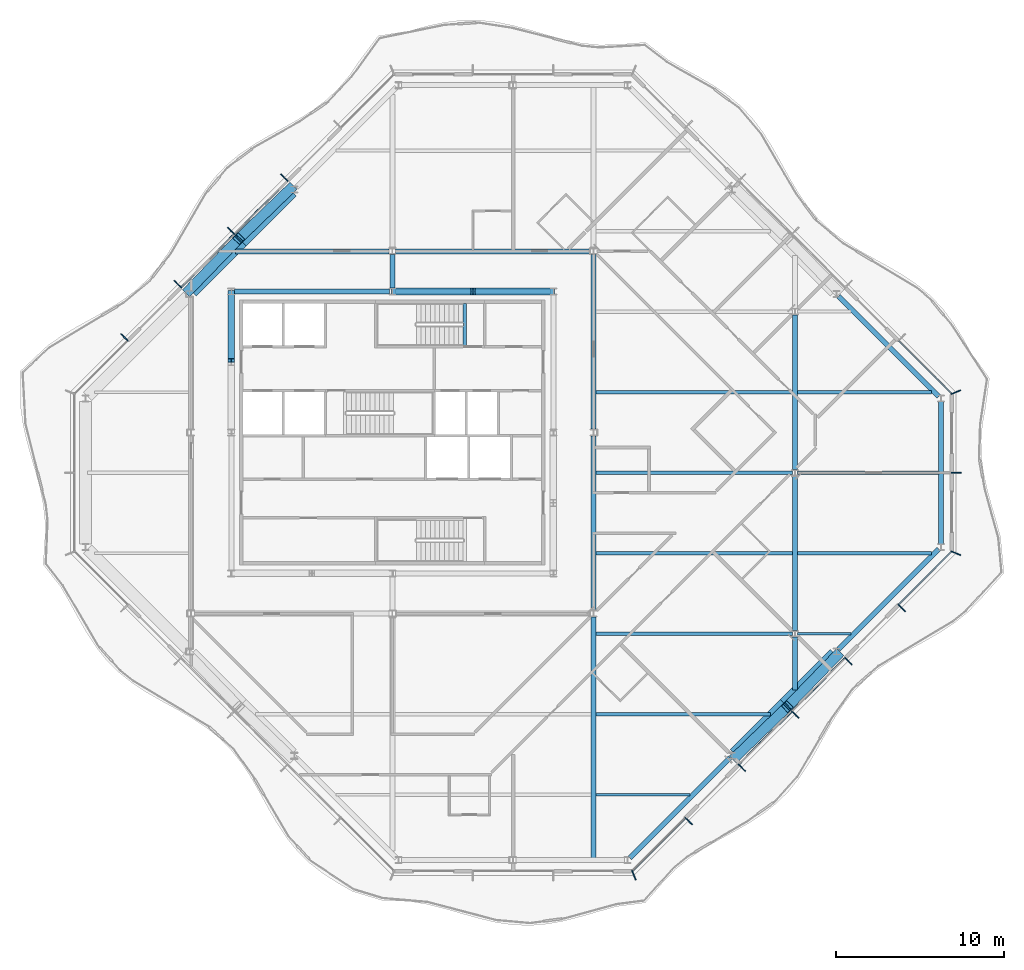
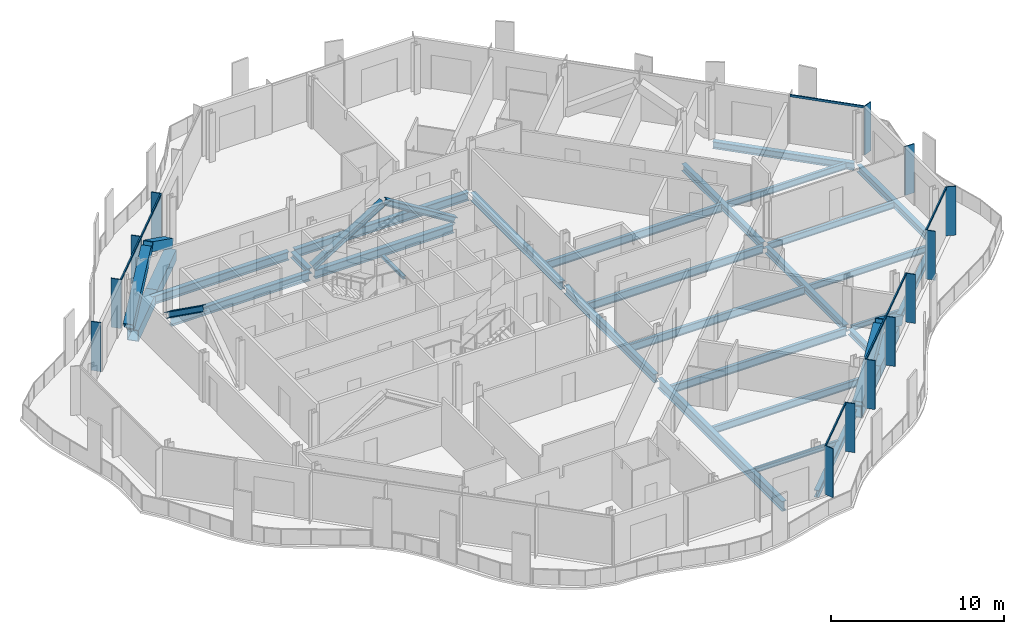
# One storey, part 4 of 17: 30 beams, 27 members, 4 elements without a shape of their own.
"""IFC4 building model written with IfcOpenShell, lengths in metres."""

from ifc_helpers import new_model, si_unit, direction, frame, origin, origin_2d, place, context, subcontext, project, spatial, rectangle, hollow_rectangle, i_section, extrude, material, material_profile, profile_set, type_object, element, aggregate, save


model = new_model("IFC4")

# Units and contexts
model_context = context("Model", 3, precision=1e-05, world=origin(), true_north=direction((0.0, 1.0)))
body_context = subcontext(model_context, "Body", "Model", "MODEL_VIEW")
ifc_project = project(units=[si_unit("LENGTHUNIT", "METRE"), si_unit("AREAUNIT", "SQUARE_METRE"), si_unit("VOLUMEUNIT", "CUBIC_METRE"), si_unit("PLANEANGLEUNIT", "RADIAN"), si_unit("MASSUNIT", "GRAM", prefix="KILO")], contexts=[model_context])

# Site, building, storey
site_placement = place(None, origin())
site = spatial("IfcSite", under=ifc_project, at=site_placement, CompositionType="ELEMENT")
building_placement = place(site_placement, origin())
building = spatial("IfcBuilding", under=site, at=building_placement, Name="Cairn Pilgrim Tower", CompositionType="ELEMENT")
storey_placement = place(building_placement, frame((0.0, 0.0, 274.199951171875)))
storey = spatial("IfcBuildingStorey", under=building, at=storey_placement, Name="L70", CompositionType="ELEMENT", Elevation=274.199951171875)

# Members
ifc_material_1 = material(Name="Structural steel S460M", Category="steel")
ifc_material_profile_1 = material_profile(ifc_material_1, hollow_rectangle(XDim=0.60009765625, YDim=0.60009765625, WallThickness=0.034912109375, at=origin_2d()), Name="BOX 600x600x35")
ifc_profile_set_1 = profile_set([ifc_material_profile_1], Name="Structural steel S460M")
member_type_1 = type_object("IfcMemberType", Name="BOX 600x600x35 BRACE", PredefinedType="BRACE", material=ifc_profile_set_1)
for number, where, z_axis, x_axis, name in (
    (1, (27.609130859375, -16.9921875, 0.150146484375), (0.612512847648, 0.592543290535, 0.523183008428), (-0.695293517132, 0.718725903967, 0.0), "XB-SE2-SE3-1"),
    (2, (33.7919921875, -10.80908203125, 0.150146484375), (-0.592511837494, -0.612530439333, 0.523198034515), (0.718754326239, -0.695264135788, 0.0), "XB-SE2-SE3-2"),
    (3, (1.19091796875, 16.9921875, 0.150146484375), (-0.612512847648, -0.592543290535, 0.523183008428), (0.695293517132, -0.718725903967, 0.0), "XB-NW2-NW3-1"),
    (4, (-4.9921875, 10.80908203125, 0.150146484375), (0.592543290535, 0.612512847648, 0.523183008428), (-0.718725903967, 0.695293517132, 0.0), "XB-NW2-NW3-2"),
):
    element("IfcMember", number, at=place(storey_placement, frame(where, z_axis=z_axis, x_axis=x_axis)), inside=storey, type_object=member_type_1, Name=name, PredefinedType="BRACE", context=body_context, shape_type="SweptSolid", body=[
        extrude(hollow_rectangle(XDim=0.60009765625, YDim=0.60009765625, WallThickness=0.034912109375, at=origin_2d()), origin(), (0.0, 0.0, 1.0), 5.036865234375),
    ])

# Beams
ifc_material_2 = material(Name="Structural steel S355J2", Category="steel")
ifc_material_profile_2 = material_profile(ifc_material_2, hollow_rectangle(XDim=0.699951171875, YDim=0.800048828125, WallThickness=0.0400390625, at=origin_2d()), Name="BOX 700x800x40")
ifc_profile_set_2 = profile_set([ifc_material_profile_2], Name="Structural steel S355J2")
beam_type_1 = type_object("IfcBeamType", Name="BOX 700x800x40 RING GIRDER", PredefinedType="SPANDREL", material=ifc_profile_set_2)
for number, where, z_axis, x_axis, name in (
    (5, (27.578369140625, -16.748779296875, -0.550048828125), (0.707135695205, 0.707077865986, 0.0), (-0.707077865986, 0.707135695205, 0.0), "RG4-SE2-SE3-1"),
    (6, (30.563720703125, -13.763671875, -0.550048828125), (0.707077865986, 0.707135695205, 0.0), (-0.707135695205, 0.707077865986, 0.0), "RG4-SE2-SE3-2"),
    (7, (1.2216796875, 16.748779296875, -0.550048828125), (-0.707135695205, -0.707077865986, 0.0), (0.707077865986, -0.707135695205, 0.0), "RG4-NW2-NW3-1"),
    (8, (-1.763671875, 13.763671875, -0.550048828125), (-0.707077865986, -0.707135695205, 0.0), (0.707135695205, -0.707077865986, 0.0), "RG4-NW2-NW3-2"),
):
    element("IfcBeam", number, at=place(storey_placement, frame(where, z_axis=z_axis, x_axis=x_axis)), inside=storey, type_object=beam_type_1, Name=name, PredefinedType="SPANDREL", context=body_context, shape_type="SweptSolid", body=[
        extrude(hollow_rectangle(XDim=0.699951171875, YDim=0.800048828125, WallThickness=0.0400390625, at=origin_2d()), origin(), (0.0, 0.0, 1.0), 4.2216796875),
    ])

# Curtain wall, members
ifc_material_3 = material(Name="Aluminium alloy 6063-T6 bronze anodised with Bronze tinted laminated low-E glass 8+16+8.8", Category="aluminium")
curtain_wall_type = type_object("IfcCurtainWallType", Name="CROWN CURTAIN WALL", PredefinedType="NOTDEFINED", material=ifc_material_3)
curtain_wall_1_placement = place(storey_placement, origin())
curtain_wall_1 = element("IfcCurtainWall", 9, at=curtain_wall_1_placement, inside=storey, type_object=curtain_wall_type, Name="Crown Curtain Wall SE", PredefinedType="NOTDEFINED")
ifc_material_4 = material(Name="Aluminium alloy 6063-T6 bronze anodised", Category="aluminium")
ifc_material_profile_3 = material_profile(ifc_material_4, rectangle(XDim=0.60009765625, YDim=0.06005859375, at=origin_2d()), Name="FIN MULLION 60x600 BRONZE")
ifc_profile_set_3 = profile_set([ifc_material_profile_3], Name="Aluminium alloy 6063-T6 bronze anodised")
member_type_2 = type_object("IfcMemberType", Name="FIN MULLION 60x600 BRONZE", PredefinedType="MULLION", material=ifc_profile_set_3)
member_1_placement = place(storey_placement, frame((21.599853515625, -23.99951171875, 0.0), z_axis=(0.0, 0.0, 1.0), x_axis=(0.382683432365, -0.923879532511, 0.0)))
member_1 = element("IfcMember", 10, at=member_1_placement, type_object=member_type_2, Name="Fin mullion SE1", PredefinedType="MULLION", context=body_context, shape_type="SweptSolid", body=[
    extrude(rectangle(XDim=0.60009765625, YDim=0.06005859375, at=origin_2d()), origin(), (0.0, 0.0, 1.0), 3.449951171875),
])
member_2_placement = place(storey_placement, frame((24.863037109375, -20.765380859375, 0.0), z_axis=(0.0, 0.0, 1.0), x_axis=(0.707106781187, -0.707106781187, 0.0)))
member_2 = element("IfcMember", 11, at=member_2_placement, type_object=member_type_2, Name="Fin mullion SE2", PredefinedType="MULLION", context=body_context, shape_type="SweptSolid", body=[
    extrude(rectangle(XDim=0.60009765625, YDim=0.06005859375, at=origin_2d()), origin(), (0.0, 0.0, 1.0), 3.449951171875),
])
member_3_placement = place(storey_placement, frame((28.03857421875, -17.58984375, 0.0), z_axis=(0.0, 0.0, 1.0), x_axis=(0.707106781187, -0.707106781187, 0.0)))
member_3 = element("IfcMember", 12, at=member_3_placement, type_object=member_type_2, Name="Fin mullion SE3", PredefinedType="MULLION", context=body_context, shape_type="SweptSolid", body=[
    extrude(rectangle(XDim=0.60009765625, YDim=0.06005859375, at=origin_2d()), origin(), (0.0, 0.0, 1.0), 3.449951171875),
])
member_4_placement = place(storey_placement, frame((31.214111328125, -14.4140625, 0.0), z_axis=(0.0, 0.0, 1.0), x_axis=(0.707106781187, -0.707106781187, 0.0)))
member_4 = element("IfcMember", 13, at=member_4_placement, type_object=member_type_2, Name="Fin mullion SE4", PredefinedType="MULLION", context=body_context, shape_type="SweptSolid", body=[
    extrude(rectangle(XDim=0.60009765625, YDim=0.06005859375, at=origin_2d()), origin(), (0.0, 0.0, 1.0), 3.449951171875),
])
member_5_placement = place(storey_placement, frame((34.3896484375, -11.238525390625, 0.0), z_axis=(0.0, 0.0, 1.0), x_axis=(0.707106781187, -0.707106781187, 0.0)))
member_5 = element("IfcMember", 14, at=member_5_placement, type_object=member_type_2, Name="Fin mullion SE5", PredefinedType="MULLION", context=body_context, shape_type="SweptSolid", body=[
    extrude(rectangle(XDim=0.60009765625, YDim=0.06005859375, at=origin_2d()), origin(), (0.0, 0.0, 1.0), 3.449951171875),
])
member_6_placement = place(storey_placement, frame((37.5654296875, -8.06298828125, 0.0), z_axis=(0.0, 0.0, 1.0), x_axis=(0.707106781187, -0.707106781187, 0.0)))
member_6 = element("IfcMember", 15, at=member_6_placement, type_object=member_type_2, Name="Fin mullion SE6", PredefinedType="MULLION", context=body_context, shape_type="SweptSolid", body=[
    extrude(rectangle(XDim=0.60009765625, YDim=0.06005859375, at=origin_2d()), origin(), (0.0, 0.0, 1.0), 3.449951171875),
])

curtain_wall_2_placement = place(storey_placement, origin())
curtain_wall_2 = element("IfcCurtainWall", 16, at=curtain_wall_2_placement, inside=storey, type_object=curtain_wall_type, Name="Crown Curtain Wall E", PredefinedType="NOTDEFINED")
member_7_placement = place(storey_placement, frame((40.799560546875, -4.7998046875, 0.0), z_axis=(0.0, 0.0, 1.0), x_axis=(0.923879532511, -0.382683432365, 0.0)))
member_7 = element("IfcMember", 17, at=member_7_placement, type_object=member_type_2, Name="Fin mullion E1", PredefinedType="MULLION", context=body_context, shape_type="SweptSolid", body=[
    extrude(rectangle(XDim=0.60009765625, YDim=0.06005859375, at=origin_2d()), origin(), (0.0, 0.0, 1.0), 3.449951171875),
])
member_8_placement = place(storey_placement, frame((40.820068359375, 0.0, 0.0), z_axis=(0.0, 0.0, 1.0), x_axis=(1.0, 0.0, 0.0)))
member_8 = element("IfcMember", 18, at=member_8_placement, type_object=member_type_2, Name="Fin mullion E2", PredefinedType="MULLION", context=body_context, shape_type="SweptSolid", body=[
    extrude(rectangle(XDim=0.60009765625, YDim=0.06005859375, at=origin_2d()), origin(), (0.0, 0.0, 1.0), 3.449951171875),
])
aggregate(curtain_wall_2, [member_7, member_8])

# Curtain wall, member
curtain_wall_3_placement = place(storey_placement, origin())
curtain_wall_3 = element("IfcCurtainWall", 19, at=curtain_wall_3_placement, inside=storey, type_object=curtain_wall_type, Name="Crown Curtain Wall NE", PredefinedType="NOTDEFINED")
member_9_placement = place(storey_placement, frame((40.799560546875, 4.7998046875, 0.0), z_axis=(0.0, 0.0, 1.0), x_axis=(0.923879532511, 0.382683432365, 0.0)))
member_9 = element("IfcMember", 20, at=member_9_placement, type_object=member_type_2, Name="Fin mullion NE1", PredefinedType="MULLION", context=body_context, shape_type="SweptSolid", body=[
    extrude(rectangle(XDim=0.60009765625, YDim=0.06005859375, at=origin_2d()), origin(), (0.0, 0.0, 1.0), 3.449951171875),
])

# Curtain wall, members
curtain_wall_4_placement = place(storey_placement, origin())
curtain_wall_4 = element("IfcCurtainWall", 21, at=curtain_wall_4_placement, inside=storey, type_object=curtain_wall_type, Name="Crown Curtain Wall NW", PredefinedType="NOTDEFINED")
member_10_placement = place(storey_placement, frame((0.761474609375, 17.58984375, 0.0), z_axis=(0.0, 0.0, 1.0), x_axis=(-0.707106781187, 0.707106781187, 0.0)))
member_10 = element("IfcMember", 22, at=member_10_placement, type_object=member_type_2, Name="Fin mullion NW3", PredefinedType="MULLION", context=body_context, shape_type="SweptSolid", body=[
    extrude(rectangle(XDim=0.60009765625, YDim=0.06005859375, at=origin_2d()), origin(), (0.0, 0.0, 1.0), 3.449951171875),
])
member_11_placement = place(storey_placement, frame((-2.4140625, 14.4140625, 0.0), z_axis=(0.0, 0.0, 1.0), x_axis=(-0.707106781187, 0.707106781187, 0.0)))
member_11 = element("IfcMember", 23, at=member_11_placement, type_object=member_type_2, Name="Fin mullion NW4", PredefinedType="MULLION", context=body_context, shape_type="SweptSolid", body=[
    extrude(rectangle(XDim=0.60009765625, YDim=0.06005859375, at=origin_2d()), origin(), (0.0, 0.0, 1.0), 3.449951171875),
])
member_12_placement = place(storey_placement, frame((-5.58984375, 11.238525390625, 0.0), z_axis=(0.0, 0.0, 1.0), x_axis=(-0.707106781187, 0.707106781187, 0.0)))
member_12 = element("IfcMember", 24, at=member_12_placement, type_object=member_type_2, Name="Fin mullion NW5", PredefinedType="MULLION", context=body_context, shape_type="SweptSolid", body=[
    extrude(rectangle(XDim=0.60009765625, YDim=0.06005859375, at=origin_2d()), origin(), (0.0, 0.0, 1.0), 3.449951171875),
])
member_13_placement = place(storey_placement, frame((-8.765380859375, 8.06298828125, 0.0), z_axis=(0.0, 0.0, 1.0), x_axis=(-0.707106781187, 0.707106781187, 0.0)))
member_13 = element("IfcMember", 25, at=member_13_placement, type_object=member_type_2, Name="Fin mullion NW6", PredefinedType="MULLION", context=body_context, shape_type="SweptSolid", body=[
    extrude(rectangle(XDim=0.60009765625, YDim=0.06005859375, at=origin_2d()), origin(), (0.0, 0.0, 1.0), 3.449951171875),
])

# Members
ifc_material_profile_4 = material_profile(ifc_material_2, i_section(OverallWidth=0.39794921875, OverallDepth=0.386962890625, WebThickness=0.02099609375, FlangeThickness=0.033203125, FilletRadius=0.014892578125, at=origin_2d()), Name="HD 400x262")
ifc_profile_set_4 = profile_set([ifc_material_profile_4], Name="Structural steel S355J2")
member_type_3 = type_object("IfcMemberType", Name="HD 400x262 BRACE", PredefinedType="BRACE", material=ifc_profile_set_4)
for number, where, z_axis, x_axis, name in (
    (26, (16.76025390625, 10.800048828125, 0.10009765625), (-0.85122905108, 0.0, 0.524794343145), (0.0, -1.0, 0.0), "KB-3A"),
    (27, (7.23974609375, 10.800048828125, 0.10009765625), (0.85122905108, 0.0, 0.524794343145), (0.0, 1.0, 0.0), "KB-3B"),
):
    element("IfcMember", number, at=place(storey_placement, frame(where, z_axis=z_axis, x_axis=x_axis)), inside=storey, type_object=member_type_3, Name=name, PredefinedType="BRACE", context=body_context, shape_type="SweptSolid", body=[
        extrude(i_section(OverallWidth=0.39794921875, OverallDepth=0.386962890625, WebThickness=0.02099609375, FlangeThickness=0.033203125, FilletRadius=0.014892578125, at=origin_2d()), origin(), (0.0, 0.0, 1.0), 5.530029296875),
    ])
member_14_placement = place(storey_placement, frame((-2.39990234375, 10.76025390625, 0.10009765625), z_axis=(0.0, -0.814462005215, 0.580216892258), x_axis=(1.0, 0.0, 0.0)))
element("IfcMember", 28, at=member_14_placement, inside=storey, type_object=member_type_3, Name="KB-4A", PredefinedType="BRACE", context=body_context, shape_type="SweptSolid", body=[
    extrude(i_section(OverallWidth=0.39794921875, OverallDepth=0.386962890625, WebThickness=0.02099609375, FlangeThickness=0.033203125, FilletRadius=0.014892578125, at=origin_2d()), origin(), (0.0, 0.0, 1.0), 4.999755859375),
])

# Beams
ifc_material_profile_5 = material_profile(ifc_material_2, i_section(OverallWidth=0.300048828125, OverallDepth=0.39990234375, WebThickness=0.013427734375, FlangeThickness=0.02392578125, FilletRadius=0.027099609375, at=origin_2d()), Name="HEB 400")
ifc_profile_set_5 = profile_set([ifc_material_profile_5], Name="Structural steel S355J2")
beam_type_2 = type_object("IfcBeamType", Name="HEB 400 GIRDER", PredefinedType="BEAM", material=ifc_profile_set_5)
beam_1_placement = place(storey_placement, frame((7.199951171875, 10.9990234375, -0.349853515625), z_axis=(0.0, 1.0, 0.0), x_axis=(-1.0, 0.0, 0.0)))
element("IfcBeam", 29, at=beam_1_placement, inside=storey, type_object=beam_type_2, Name="PG3-E2", PredefinedType="BEAM", context=body_context, shape_type="SweptSolid", body=[
    extrude(i_section(OverallWidth=0.300048828125, OverallDepth=0.39990234375, WebThickness=0.013427734375, FlangeThickness=0.02392578125, FilletRadius=0.027099609375, at=origin_2d()), origin(), (0.0, 0.0, 1.0), 2.00390625),
])
beam_2_placement = place(storey_placement, frame((31.199951171875, -12.945068359375, -0.349853515625), z_axis=(0.0, 1.0, 0.0), x_axis=(-1.0, 0.0, 0.0)))
element("IfcBeam", 30, at=beam_2_placement, inside=storey, type_object=beam_type_2, Name="PG5-1", PredefinedType="BEAM", context=body_context, shape_type="SweptSolid", body=[
    extrude(i_section(OverallWidth=0.300048828125, OverallDepth=0.39990234375, WebThickness=0.013427734375, FlangeThickness=0.02392578125, FilletRadius=0.027099609375, at=origin_2d()), origin(), (0.0, 0.0, 1.0), 3.14794921875),
])
ifc_material_profile_6 = material_profile(ifc_material_2, i_section(OverallWidth=0.300048828125, OverallDepth=0.5, WebThickness=0.014404296875, FlangeThickness=0.028076171875, FilletRadius=0.027099609375, at=origin_2d()), Name="HEB 500")
ifc_profile_set_6 = profile_set([ifc_material_profile_6], Name="Structural steel S355J2")
beam_type_3 = type_object("IfcBeamType", Name="HEB 500 GIRDER", PredefinedType="BEAM", material=ifc_profile_set_6)
for number, where, z_axis, x_axis, name in (
    (31, (31.199951171875, -9.403076171875, -0.39990234375), (0.0, 1.0, 0.0), (-1.0, 0.0, 0.0), "PG5-2"),
    (32, (31.199951171875, 0.197021484375, -0.39990234375), (0.0, 1.0, 0.0), (-1.0, 0.0, 0.0), "PG5-3"),
):
    element("IfcBeam", number, at=place(storey_placement, frame(where, z_axis=z_axis, x_axis=x_axis)), inside=storey, type_object=beam_type_3, Name=name, PredefinedType="BEAM", context=body_context, shape_type="SweptSolid", body=[
        extrude(i_section(OverallWidth=0.300048828125, OverallDepth=0.5, WebThickness=0.014404296875, FlangeThickness=0.028076171875, FilletRadius=0.027099609375, at=origin_2d()), origin(), (0.0, 0.0, 1.0), 9.2060546875),
    ])
ifc_material_profile_7 = material_profile(ifc_material_2, i_section(OverallWidth=0.300048828125, OverallDepth=0.5, WebThickness=0.014404296875, FlangeThickness=0.028076171875, FilletRadius=0.027099609375, at=origin_2d()), Name="HEB 500")
ifc_profile_set_7 = profile_set([ifc_material_profile_7], Name="Structural steel S355J2")
beam_type_4 = type_object("IfcBeamType", Name="HEB 500 RING GIRDER", PredefinedType="SPANDREL", material=ifc_profile_set_7)
for number, where, z_axis, x_axis, name in (
    (33, (21.354248046875, -22.972900390625, -0.39990234375), (0.707106781187, 0.707106781187, 0.0), (-0.707106781187, 0.707106781187, 0.0), "RG4-SE1-SE2"),
    (34, (33.802734375, -10.5244140625, -0.39990234375), (0.707106781187, 0.707106781187, 0.0), (-0.707106781187, 0.707106781187, 0.0), "RG4-SE3-E1"),
):
    element("IfcBeam", number, at=place(storey_placement, frame(where, z_axis=z_axis, x_axis=x_axis)), inside=storey, type_object=beam_type_4, Name=name, PredefinedType="SPANDREL", context=body_context, shape_type="SweptSolid", body=[
        extrude(i_section(OverallWidth=0.300048828125, OverallDepth=0.5, WebThickness=0.014404296875, FlangeThickness=0.028076171875, FilletRadius=0.027099609375, at=origin_2d()), origin(), (0.0, 0.0, 1.0), 8.443115234375),
    ])
beam_3_placement = place(storey_placement, frame((39.89990234375, -4.247802734375, -0.39990234375), z_axis=(0.0, 1.0, 0.0), x_axis=(-1.0, 0.0, 0.0)))
element("IfcBeam", 35, at=beam_3_placement, inside=storey, type_object=beam_type_4, Name="RG4-E1-NE1", PredefinedType="SPANDREL", context=body_context, shape_type="SweptSolid", body=[
    extrude(i_section(OverallWidth=0.300048828125, OverallDepth=0.5, WebThickness=0.014404296875, FlangeThickness=0.028076171875, FilletRadius=0.027099609375, at=origin_2d()), origin(), (0.0, 0.0, 1.0), 8.49560546875),
])
beam_4_placement = place(storey_placement, frame((39.77294921875, 4.55419921875, -0.39990234375), z_axis=(-0.707106781187, 0.707106781187, 0.0), x_axis=(-0.707106781187, -0.707106781187, 0.0)))
element("IfcBeam", 36, at=beam_4_placement, inside=storey, type_object=beam_type_4, Name="RG4-NE1-NE2", PredefinedType="SPANDREL", context=body_context, shape_type="SweptSolid", body=[
    extrude(i_section(OverallWidth=0.300048828125, OverallDepth=0.5, WebThickness=0.014404296875, FlangeThickness=0.028076171875, FilletRadius=0.027099609375, at=origin_2d()), origin(), (0.0, 0.0, 1.0), 8.443115234375),
])
ifc_material_profile_8 = material_profile(ifc_material_2, i_section(OverallWidth=0.300048828125, OverallDepth=0.60009765625, WebThickness=0.015380859375, FlangeThickness=0.030029296875, FilletRadius=0.027099609375, at=origin_2d()), Name="HEB 600")
ifc_profile_set_8 = profile_set([ifc_material_profile_8], Name="Structural steel S355J2")
beam_type_5 = type_object("IfcBeamType", Name="HEB 600 CORE BEAM", PredefinedType="BEAM", material=ifc_profile_set_8)
beam_5_placement = place(storey_placement, frame((16.620849609375, 10.800048828125, -0.449951171875), z_axis=(-1.0, 0.0, 0.0), x_axis=(0.0, -1.0, 0.0)))
element("IfcBeam", 37, at=beam_5_placement, inside=storey, type_object=beam_type_5, Name="CB-5", PredefinedType="BEAM", context=body_context, shape_type="SweptSolid", body=[
    extrude(i_section(OverallWidth=0.300048828125, OverallDepth=0.60009765625, WebThickness=0.015380859375, FlangeThickness=0.030029296875, FilletRadius=0.027099609375, at=origin_2d()), origin(), (0.0, 0.0, 1.0), 9.24169921875),
])
beam_6_placement = place(storey_placement, frame((7.02099609375, 10.800048828125, -0.449951171875), z_axis=(-1.0, 0.0, 0.0), x_axis=(0.0, -1.0, 0.0)))
element("IfcBeam", 38, at=beam_6_placement, inside=storey, type_object=beam_type_5, Name="CB-6", PredefinedType="BEAM", context=body_context, shape_type="SweptSolid", body=[
    extrude(i_section(OverallWidth=0.300048828125, OverallDepth=0.60009765625, WebThickness=0.015380859375, FlangeThickness=0.030029296875, FilletRadius=0.027099609375, at=origin_2d()), origin(), (0.0, 0.0, 1.0), 9.241943359375),
])
ifc_material_profile_9 = material_profile(ifc_material_2, i_section(OverallWidth=0.300048828125, OverallDepth=0.60009765625, WebThickness=0.015380859375, FlangeThickness=0.030029296875, FilletRadius=0.027099609375, at=origin_2d()), Name="HEB 600")
ifc_profile_set_9 = profile_set([ifc_material_profile_9], Name="Structural steel S355J2")
beam_type_6 = type_object("IfcBeamType", Name="HEB 600 GIRDER", PredefinedType="BEAM", material=ifc_profile_set_9)
beam_7_placement = place(storey_placement, frame((19.199951171875, -8.202880859375, -0.449951171875), z_axis=(0.0, 1.0, 0.0), x_axis=(-1.0, 0.0, 0.0)))
element("IfcBeam", 39, at=beam_7_placement, inside=storey, type_object=beam_type_6, Name="PG4-2", PredefinedType="BEAM", context=body_context, shape_type="SweptSolid", body=[
    extrude(i_section(OverallWidth=0.300048828125, OverallDepth=0.60009765625, WebThickness=0.015380859375, FlangeThickness=0.030029296875, FilletRadius=0.027099609375, at=origin_2d()), origin(), (0.0, 0.0, 1.0), 10.40576171875),
])
beam_8_placement = place(storey_placement, frame((19.199951171875, 2.596923828125, -0.449951171875), z_axis=(0.0, 1.0, 0.0), x_axis=(-1.0, 0.0, 0.0)))
element("IfcBeam", 40, at=beam_8_placement, inside=storey, type_object=beam_type_6, Name="PG4-3", PredefinedType="BEAM", context=body_context, shape_type="SweptSolid", body=[
    extrude(i_section(OverallWidth=0.300048828125, OverallDepth=0.60009765625, WebThickness=0.015380859375, FlangeThickness=0.030029296875, FilletRadius=0.027099609375, at=origin_2d()), origin(), (0.0, 0.0, 1.0), 10.406005859375),
])
ifc_material_profile_10 = material_profile(ifc_material_2, i_section(OverallWidth=0.300048828125, OverallDepth=0.60009765625, WebThickness=0.015380859375, FlangeThickness=0.030029296875, FilletRadius=0.027099609375, at=origin_2d()), Name="HEB 600")
ifc_profile_set_10 = profile_set([ifc_material_profile_10], Name="Structural steel S355J2")
beam_type_7 = type_object("IfcBeamType", Name="HEB 600 INNER GIRDER", PredefinedType="BEAM", material=ifc_profile_set_10)
beam_9_placement = place(storey_placement, frame((-2.14501953125, 13.199951171875, -0.449951171875), z_axis=(1.0, 0.0, 0.0), x_axis=(0.0, 1.0, 0.0)))
element("IfcBeam", 41, at=beam_9_placement, inside=storey, type_object=beam_type_7, Name="IG2-1", PredefinedType="BEAM", context=body_context, shape_type="SweptSolid", body=[
    extrude(i_section(OverallWidth=0.300048828125, OverallDepth=0.60009765625, WebThickness=0.015380859375, FlangeThickness=0.030029296875, FilletRadius=0.027099609375, at=origin_2d()), origin(), (0.0, 0.0, 1.0), 9.14794921875),
])
beam_10_placement = place(storey_placement, frame((7.39697265625, 13.199951171875, -0.449951171875), z_axis=(1.0, 0.0, 0.0), x_axis=(0.0, 1.0, 0.0)))
element("IfcBeam", 42, at=beam_10_placement, inside=storey, type_object=beam_type_7, Name="IG2-2", PredefinedType="BEAM", context=body_context, shape_type="SweptSolid", body=[
    extrude(i_section(OverallWidth=0.300048828125, OverallDepth=0.60009765625, WebThickness=0.015380859375, FlangeThickness=0.030029296875, FilletRadius=0.027099609375, at=origin_2d()), origin(), (0.0, 0.0, 1.0), 11.60595703125),
])
ifc_material_profile_11 = material_profile(ifc_material_2, i_section(OverallWidth=0.300048828125, OverallDepth=0.699951171875, WebThickness=0.01708984375, FlangeThickness=0.031982421875, FilletRadius=0.027099609375, at=origin_2d()), Name="HEB 700")
ifc_profile_set_11 = profile_set([ifc_material_profile_11], Name="Structural steel S355J2")
beam_type_8 = type_object("IfcBeamType", Name="HEB 700 GIRDER", PredefinedType="BEAM", material=ifc_profile_set_11)
beam_11_placement = place(storey_placement, frame((19.199951171875, -22.97998046875, -0.5), z_axis=(0.0, 1.0, 0.0), x_axis=(-1.0, 0.0, 0.0)))
element("IfcBeam", 43, at=beam_11_placement, inside=storey, type_object=beam_type_8, Name="PG4-1", PredefinedType="BEAM", context=body_context, shape_type="SweptSolid", body=[
    extrude(i_section(OverallWidth=0.300048828125, OverallDepth=0.699951171875, WebThickness=0.01708984375, FlangeThickness=0.031982421875, FilletRadius=0.027099609375, at=origin_2d()), origin(), (0.0, 0.0, 1.0), 14.383056640625),
])
ifc_material_profile_12 = material_profile(ifc_material_2, i_section(OverallWidth=0.169921875, OverallDepth=0.360107421875, WebThickness=0.008056640625, FlangeThickness=0.0126953125, FilletRadius=0.01806640625, at=origin_2d()), Name="IPE 360")
ifc_profile_set_12 = profile_set([ifc_material_profile_12], Name="Structural steel S355J2")
beam_type_9 = type_object("IfcBeamType", Name="IPE 360 SECONDARY BEAM", PredefinedType="JOIST", material=ifc_profile_set_12)
beam_12_placement = place(storey_placement, frame((19.35009765625, -19.199951171875, -0.329833984375), z_axis=(1.0, 0.0, 0.0), x_axis=(0.0, 1.0, 0.0)))
element("IfcBeam", 44, at=beam_12_placement, inside=storey, type_object=beam_type_9, Name="SB1-3", PredefinedType="JOIST", context=body_context, shape_type="SweptSolid", body=[
    extrude(i_section(OverallWidth=0.169921875, OverallDepth=0.360107421875, WebThickness=0.008056640625, FlangeThickness=0.0126953125, FilletRadius=0.01806640625, at=origin_2d()), origin(), (0.0, 0.0, 1.0), 5.594970703125),
])
beam_13_placement = place(storey_placement, frame((31.35009765625, -9.60009765625, -0.329833984375), z_axis=(1.0, 0.0, 0.0), x_axis=(0.0, 1.0, 0.0)))
element("IfcBeam", 45, at=beam_13_placement, inside=storey, type_object=beam_type_9, Name="SB3-2", PredefinedType="JOIST", context=body_context, shape_type="SweptSolid", body=[
    extrude(i_section(OverallWidth=0.169921875, OverallDepth=0.360107421875, WebThickness=0.008056640625, FlangeThickness=0.0126953125, FilletRadius=0.01806640625, at=origin_2d()), origin(), (0.0, 0.0, 1.0), 3.195068359375),
])
ifc_material_profile_13 = material_profile(ifc_material_2, i_section(OverallWidth=0.18994140625, OverallDepth=0.449951171875, WebThickness=0.009521484375, FlangeThickness=0.0146484375, FilletRadius=0.02099609375, at=origin_2d()), Name="IPE 450")
ifc_profile_set_13 = profile_set([ifc_material_profile_13], Name="Structural steel S355J2")
beam_type_10 = type_object("IfcBeamType", Name="IPE 450 SECONDARY BEAM", PredefinedType="JOIST", material=ifc_profile_set_13)
beam_14_placement = place(storey_placement, frame((31.35009765625, -4.800048828125, -0.375), z_axis=(1.0, 0.0, 0.0), x_axis=(0.0, 1.0, 0.0)))
element("IfcBeam", 46, at=beam_14_placement, inside=storey, type_object=beam_type_10, Name="SB4-3", PredefinedType="JOIST", context=body_context, shape_type="SweptSolid", body=[
    extrude(i_section(OverallWidth=0.18994140625, OverallDepth=0.449951171875, WebThickness=0.009521484375, FlangeThickness=0.0146484375, FilletRadius=0.02099609375, at=origin_2d()), origin(), (0.0, 0.0, 1.0), 7.9951171875),
])
beam_15_placement = place(storey_placement, frame((31.35009765625, 0.0, -0.375), z_axis=(1.0, 0.0, 0.0), x_axis=(0.0, 1.0, 0.0)))
element("IfcBeam", 47, at=beam_15_placement, inside=storey, type_object=beam_type_10, Name="SB5-3", PredefinedType="JOIST", context=body_context, shape_type="SweptSolid", body=[
    extrude(i_section(OverallWidth=0.18994140625, OverallDepth=0.449951171875, WebThickness=0.009521484375, FlangeThickness=0.0146484375, FilletRadius=0.02099609375, at=origin_2d()), origin(), (0.0, 0.0, 1.0), 8.429931640625),
])
beam_16_placement = place(storey_placement, frame((31.35009765625, 4.800048828125, -0.375), z_axis=(1.0, 0.0, 0.0), x_axis=(0.0, 1.0, 0.0)))
element("IfcBeam", 48, at=beam_16_placement, inside=storey, type_object=beam_type_10, Name="SB6-3", PredefinedType="JOIST", context=body_context, shape_type="SweptSolid", body=[
    extrude(i_section(OverallWidth=0.18994140625, OverallDepth=0.449951171875, WebThickness=0.009521484375, FlangeThickness=0.0146484375, FilletRadius=0.02099609375, at=origin_2d()), origin(), (0.0, 0.0, 1.0), 7.9951171875),
])
ifc_material_profile_14 = material_profile(ifc_material_2, i_section(OverallWidth=0.199951171875, OverallDepth=0.5, WebThickness=0.01025390625, FlangeThickness=0.01611328125, FilletRadius=0.02099609375, at=origin_2d()), Name="IPE 500")
ifc_profile_set_14 = profile_set([ifc_material_profile_14], Name="Structural steel S355J2")
beam_type_11 = type_object("IfcBeamType", Name="IPE 500 SECONDARY BEAM", PredefinedType="JOIST", material=ifc_profile_set_14)
beam_17_placement = place(storey_placement, frame((19.35009765625, -14.39990234375, -0.39990234375), z_axis=(1.0, 0.0, 0.0), x_axis=(0.0, 1.0, 0.0)))
element("IfcBeam", 49, at=beam_17_placement, inside=storey, type_object=beam_type_11, Name="SB2-3", PredefinedType="JOIST", context=body_context, shape_type="SweptSolid", body=[
    extrude(i_section(OverallWidth=0.199951171875, OverallDepth=0.5, WebThickness=0.01025390625, FlangeThickness=0.01611328125, FilletRadius=0.02099609375, at=origin_2d()), origin(), (0.0, 0.0, 1.0), 10.39501953125),
])
ifc_material_profile_15 = material_profile(ifc_material_2, i_section(OverallWidth=0.2099609375, OverallDepth=0.550048828125, WebThickness=0.010986328125, FlangeThickness=0.01708984375, FilletRadius=0.02392578125, at=origin_2d()), Name="IPE 550")
ifc_profile_set_15 = profile_set([ifc_material_profile_15], Name="Structural steel S355J2")
beam_type_12 = type_object("IfcBeamType", Name="IPE 550 SECONDARY BEAM", PredefinedType="JOIST", material=ifc_profile_set_15)
for number, where, z_axis, x_axis, name in (
    (50, (19.35009765625, -9.60009765625, -0.425048828125), (1.0, 0.0, 0.0), (0.0, 1.0, 0.0), "SB3-1"),
    (51, (19.35009765625, -4.800048828125, -0.425048828125), (1.0, 0.0, 0.0), (0.0, 1.0, 0.0), "SB4-2"),
    (52, (19.35009765625, 0.0, -0.425048828125), (1.0, 0.0, 0.0), (0.0, 1.0, 0.0), "SB5-2"),
    (53, (19.35009765625, 4.800048828125, -0.425048828125), (1.0, 0.0, 0.0), (0.0, 1.0, 0.0), "SB6-2"),
):
    element("IfcBeam", number, at=place(storey_placement, frame(where, z_axis=z_axis, x_axis=x_axis)), inside=storey, type_object=beam_type_12, Name=name, PredefinedType="JOIST", context=body_context, shape_type="SweptSolid", body=[
        extrude(i_section(OverallWidth=0.2099609375, OverallDepth=0.550048828125, WebThickness=0.010986328125, FlangeThickness=0.01708984375, FilletRadius=0.02392578125, at=origin_2d()), origin(), (0.0, 0.0, 1.0), 11.699951171875),
    ])
ifc_material_profile_16 = material_profile(ifc_material_2, i_section(OverallWidth=0.199951171875, OverallDepth=0.199951171875, WebThickness=0.009033203125, FlangeThickness=0.014892578125, FilletRadius=0.01806640625, at=origin_2d()), Name="HE 200 B")
ifc_profile_set_16 = profile_set([ifc_material_profile_16], Name="Structural steel S355J2")
beam_type_13 = type_object("IfcBeamType", Name="STAIR LANDING BEAM HE 200 B", PredefinedType="BEAM", material=ifc_profile_set_16)
beam_18_placement = place(storey_placement, frame((11.5244140625, 10.10009765625, -0.25), z_axis=(0.0, -1.0, 0.0), x_axis=(1.0, 0.0, 0.0)))
element("IfcBeam", 54, at=beam_18_placement, inside=storey, type_object=beam_type_13, Name="STAIR LANDING BEAM LD-HE200B", PredefinedType="BEAM", context=body_context, shape_type="SweptSolid", body=[
    extrude(i_section(OverallWidth=0.199951171875, OverallDepth=0.199951171875, WebThickness=0.009033203125, FlangeThickness=0.014892578125, FilletRadius=0.01806640625, at=origin_2d()), origin(), (0.0, 0.0, 1.0), 2.525146484375),
])

# Member
ifc_material_profile_17 = material_profile(ifc_material_4, rectangle(XDim=0.080078125, YDim=0.14990234375, at=origin_2d()), Name="TRANSOM 80x150 BRONZE")
ifc_profile_set_17 = profile_set([ifc_material_profile_17], Name="Aluminium alloy 6063-T6 bronze anodised")
member_type_4 = type_object("IfcMemberType", Name="TRANSOM 80x150 BRONZE", PredefinedType="USERDEFINED", material=ifc_profile_set_17)
member_15_placement = place(storey_placement, frame((21.524658203125, -23.7216796875, 3.375), z_axis=(0.707134392299, 0.707079168996, 0.0), x_axis=(-0.707079168996, 0.707134392299, 0.0)))
member_15 = element("IfcMember", 55, at=member_15_placement, type_object=member_type_4, Name="Transom SE1", ObjectType="TRANSOM", PredefinedType="USERDEFINED", context=body_context, shape_type="SweptSolid", body=[
    extrude(rectangle(XDim=0.080078125, YDim=0.14990234375, at=origin_2d()), origin(), (0.0, 0.0, 1.0), 4.4208984375),
])

member_16_placement = place(storey_placement, frame((27.868896484375, -17.377685546875, 3.375), z_axis=(0.707079231393, 0.707134329907, 0.0), x_axis=(-0.707134329907, 0.707079231393, 0.0)))
member_16 = element("IfcMember", 56, at=member_16_placement, type_object=member_type_4, Name="Transom SE3", ObjectType="TRANSOM", PredefinedType="USERDEFINED", context=body_context, shape_type="SweptSolid", body=[
    extrude(rectangle(XDim=0.080078125, YDim=0.14990234375, at=origin_2d()), origin(), (0.0, 0.0, 1.0), 4.430908203125),
])

member_17_placement = place(storey_placement, frame((31.04443359375, -14.201904296875, 3.375), z_axis=(0.707106781187, 0.707106781187, 0.0), x_axis=(-0.707106781187, 0.707106781187, 0.0)))
member_17 = element("IfcMember", 57, at=member_17_placement, type_object=member_type_4, Name="Transom SE4", ObjectType="TRANSOM", PredefinedType="USERDEFINED", context=body_context, shape_type="SweptSolid", body=[
    extrude(rectangle(XDim=0.080078125, YDim=0.14990234375, at=origin_2d()), origin(), (0.0, 0.0, 1.0), 4.430908203125),
])

member_18_placement = place(storey_placement, frame((37.3955078125, -7.850830078125, 3.375), z_axis=(0.707106781187, 0.707106781187, 0.0), x_axis=(-0.707106781187, 0.707106781187, 0.0)))
member_18 = element("IfcMember", 58, at=member_18_placement, type_object=member_type_4, Name="Transom SE6", ObjectType="TRANSOM", PredefinedType="USERDEFINED", context=body_context, shape_type="SweptSolid", body=[
    extrude(rectangle(XDim=0.080078125, YDim=0.14990234375, at=origin_2d()), origin(), (0.0, 0.0, 1.0), 4.421142578125),
])

aggregate(curtain_wall_1, [member_1, member_2, member_3, member_4, member_5, member_6, member_15, member_16, member_17, member_18])

member_19_placement = place(storey_placement, frame((40.521728515625, 4.724609375, 3.375), z_axis=(-0.707106781187, 0.707106781187, 0.0), x_axis=(-0.707106781187, -0.707106781187, 0.0)))
member_19 = element("IfcMember", 59, at=member_19_placement, type_object=member_type_4, Name="Transom NE1", ObjectType="TRANSOM", PredefinedType="USERDEFINED", context=body_context, shape_type="SweptSolid", body=[
    extrude(rectangle(XDim=0.080078125, YDim=0.14990234375, at=origin_2d()), origin(), (0.0, 0.0, 1.0), 4.421142578125),
])

aggregate(curtain_wall_3, [member_9, member_19])

member_20_placement = place(storey_placement, frame((0.93115234375, 17.377685546875, 3.375), z_axis=(-0.707079231393, -0.707134329907, 0.0), x_axis=(0.707134329907, -0.707079231393, 0.0)))
member_20 = element("IfcMember", 60, at=member_20_placement, type_object=member_type_4, Name="Transom NW3", ObjectType="TRANSOM", PredefinedType="USERDEFINED", context=body_context, shape_type="SweptSolid", body=[
    extrude(rectangle(XDim=0.080078125, YDim=0.14990234375, at=origin_2d()), origin(), (0.0, 0.0, 1.0), 4.430908203125),
])

member_21_placement = place(storey_placement, frame((-2.244384765625, 14.201904296875, 3.375), z_axis=(-0.707134329907, -0.707079231393, 0.0), x_axis=(0.707079231393, -0.707134329907, 0.0)))
member_21 = element("IfcMember", 61, at=member_21_placement, type_object=member_type_4, Name="Transom NW4", ObjectType="TRANSOM", PredefinedType="USERDEFINED", context=body_context, shape_type="SweptSolid", body=[
    extrude(rectangle(XDim=0.080078125, YDim=0.14990234375, at=origin_2d()), origin(), (0.0, 0.0, 1.0), 4.430908203125),
])

aggregate(curtain_wall_4, [member_10, member_11, member_12, member_13, member_20, member_21])

save(model, "model.ifc")
